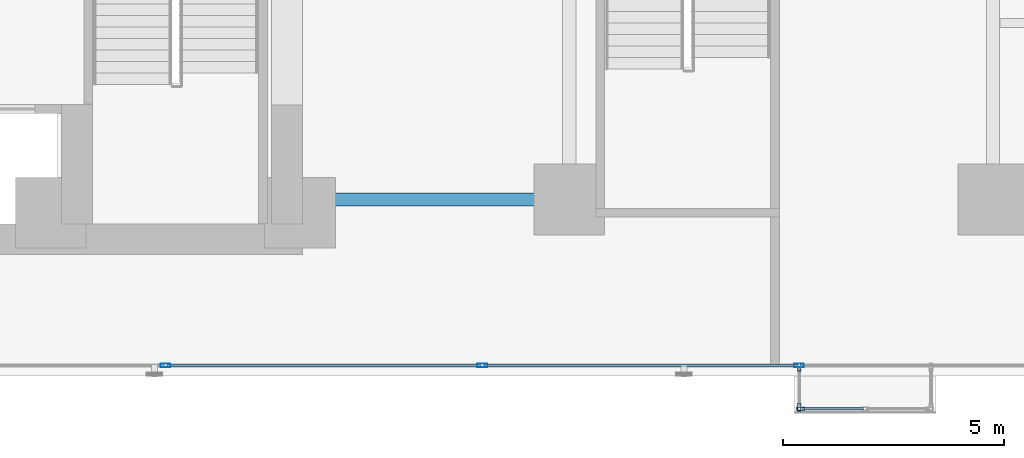
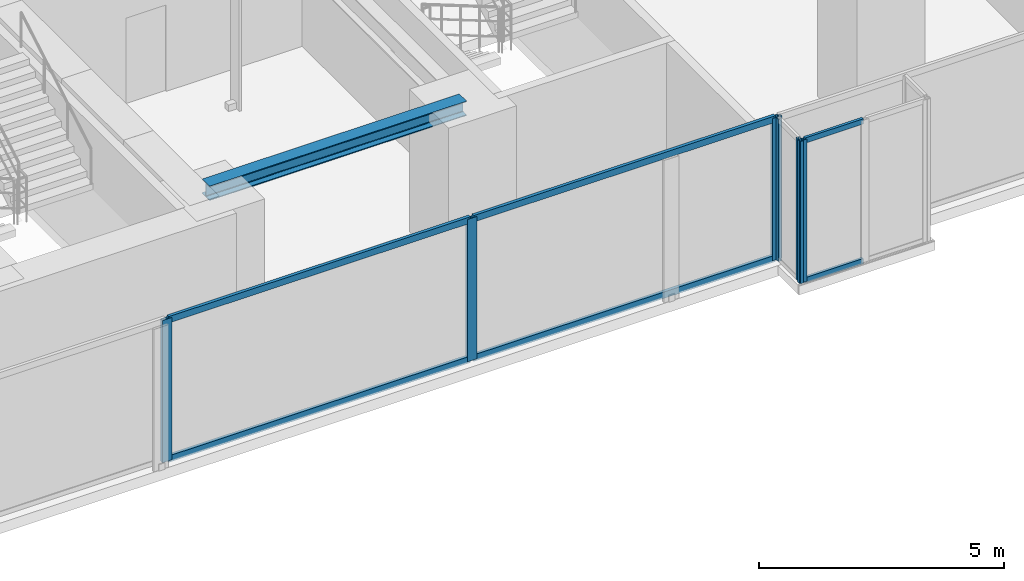
# One storey, part 4 of 30: 12 members, 1 beam, 3 elements without a shape of their own.
"""IFC4 building model written with IfcOpenShell, lengths in metres."""

from ifc_helpers import new_model, si_unit, direction, frame, origin, origin_with_axes, origin_2d, place, context, subcontext, project, spatial, hollow_rectangle, i_section, extrude, source, transform, mapped, material, layer, layer_set, material_profile, profile_set, type_object, element, aggregate, save


model = new_model("IFC4")

# Units and contexts
model_context = context("Model", 3, precision=1e-05, world=origin(), true_north=direction((0.0, 1.0)))
body_context = subcontext(model_context, "Body", "Model", "MODEL_VIEW")
ifc_project = project(units=[si_unit("LENGTHUNIT", "METRE"), si_unit("AREAUNIT", "SQUARE_METRE"), si_unit("VOLUMEUNIT", "CUBIC_METRE"), si_unit("PLANEANGLEUNIT", "RADIAN"), si_unit("MASSUNIT", "GRAM", prefix="KILO")], contexts=[model_context])

# Site, building, storey
site_placement = place(None, origin())
site = spatial("IfcSite", under=ifc_project, at=site_placement, CompositionType="ELEMENT")
building_placement = place(site_placement, origin())
building = spatial("IfcBuilding", under=site, at=building_placement, Name="Kolvaren Waterfront Exchange", CompositionType="ELEMENT")
storey_placement = place(building_placement, frame((0.0, 0.0, 52.39990234375)))
storey = spatial("IfcBuildingStorey", under=building, at=storey_placement, Name="L13", CompositionType="ELEMENT", Elevation=52.39990234375)

# Beam
ifc_material_1 = material(Name="Steel S355", Category="steel")
ifc_material_profile_1 = material_profile(ifc_material_1, i_section(OverallWidth=0.300048828125, OverallDepth=0.360107421875, WebThickness=0.012451171875, FlangeThickness=0.0224609375, FilletRadius=0.027099609375, at=origin_2d()), Name="HEB360")
ifc_profile_set_1 = profile_set([ifc_material_profile_1], Name="Steel S355")
beam_type = type_object("IfcBeamType", Name="STR-BM-HEB360", PredefinedType="SPANDREL", material=ifc_profile_set_1)
beam_placement = place(storey_placement, frame((21.14990234375, 5.199951171875, 3.360107421875), z_axis=(1.0, 0.0, 0.0), x_axis=(0.0, 1.0, 0.0)))
element("IfcBeam", 1, at=beam_placement, inside=storey, type_object=beam_type, Name="L13 east-arm spandrel S1", PredefinedType="SPANDREL", context=body_context, shape_type="SweptSolid", body=[
    extrude(i_section(OverallWidth=0.300048828125, OverallDepth=0.360107421875, WebThickness=0.012451171875, FlangeThickness=0.0224609375, FilletRadius=0.027099609375, at=origin_2d()), origin(), (0.0, 0.0, 1.0), 6.050048828125),
])

# Curtain wall, members
ifc_material_2 = material(Name="Anodised bronze aluminium 6063-T6", Category="aluminium")
ifc_layer_1 = layer(ifc_material_2, 0.219970703125, Name="Anodised bronze aluminium 6063-T6")
ifc_layer_set_1 = layer_set([ifc_layer_1], Name="Anodised bronze aluminium 6063-T6")
curtain_wall_type_1 = type_object("IfcCurtainWallType", Name="ARC-CW-SYS1", PredefinedType="USERDEFINED", material=ifc_layer_set_1)
curtain_wall_1_placement = place(storey_placement, origin())
curtain_wall_1 = element("IfcCurtainWall", 2, at=curtain_wall_1_placement, inside=storey, type_object=curtain_wall_type_1, Name="L13 stick curtain wall CW1 (CW-L13-S)", ObjectType="STICK CURTAIN WALL", PredefinedType="USERDEFINED")
ifc_material_3 = material(Name="Anodised aluminium 6063-T6", Category="aluminium")
ifc_material_profile_2 = material_profile(ifc_material_3, hollow_rectangle(XDim=0.074951171875, YDim=0.159912109375, WallThickness=0.00439453125, at=origin_2d()), Name="ALU-TRN-160x75x4.5")
ifc_profile_set_2 = profile_set([ifc_material_profile_2], Name="Anodised aluminium 6063-T6")
member_type_1 = type_object("IfcMemberType", Name="ARC-CWT-160", PredefinedType="USERDEFINED", material=ifc_profile_set_2)
shared_shape_1 = source(origin_with_axes(), body_context, "Body", "SweptSolid", [
    extrude(hollow_rectangle(XDim=0.074951171875, YDim=0.159912109375, WallThickness=0.00439453125, at=origin_2d()), origin(), (0.0, 0.0, 1.0), 7.094970703125),
])
member_1_placement = place(storey_placement, frame((18.090087890625, 1.43994140625, 0.03759765625), z_axis=(1.0, 0.0, 0.0), x_axis=(0.0, 1.0, 0.0)))
member_1 = element("IfcMember", 3, at=member_1_placement, type_object=member_type_1, Name="CW1 transom 3.1", ObjectType="TRANSOM", PredefinedType="USERDEFINED", context=body_context, shape_type="MappedRepresentation", body=[
    mapped(shared_shape_1, transform((0.0, 0.0, 0.0), x_axis=(1.0, 0.0, 0.0), y_axis=(0.0, 1.0, 0.0), z_axis=(0.0, 0.0, 1.0), scale=1.0)),
])
member_2_placement = place(storey_placement, frame((18.090087890625, 1.43994140625, 3.502685546875), z_axis=(1.0, 0.0, 0.0), x_axis=(0.0, 1.0, 0.0)))
member_2 = element("IfcMember", 4, at=member_2_placement, type_object=member_type_1, Name="CW1 transom 3.2", ObjectType="TRANSOM", PredefinedType="USERDEFINED", context=body_context, shape_type="MappedRepresentation", body=[
    mapped(shared_shape_1, transform((0.0, 0.0, 0.0), x_axis=(1.0, 0.0, 0.0), y_axis=(0.0, 1.0, 0.0), z_axis=(0.0, 0.0, 1.0), scale=1.0)),
])
shared_shape_2 = source(origin_with_axes(), body_context, "Body", "SweptSolid", [
    extrude(hollow_rectangle(XDim=0.074951171875, YDim=0.159912109375, WallThickness=0.00439453125, at=origin_2d()), origin(), (0.0, 0.0, 1.0), 7.09521484375),
])
member_3_placement = place(storey_placement, frame((25.264892578125, 1.43994140625, 0.03759765625), z_axis=(1.0, 0.0, 0.0), x_axis=(0.0, 1.0, 0.0)))
member_3 = element("IfcMember", 5, at=member_3_placement, type_object=member_type_1, Name="CW1 transom 4.1", ObjectType="TRANSOM", PredefinedType="USERDEFINED", context=body_context, shape_type="MappedRepresentation", body=[
    mapped(shared_shape_2, transform((0.0, 0.0, 0.0), x_axis=(1.0, 0.0, 0.0), y_axis=(0.0, 1.0, 0.0), z_axis=(0.0, 0.0, 1.0), scale=1.0)),
])
member_4_placement = place(storey_placement, frame((25.264892578125, 1.43994140625, 3.502685546875), z_axis=(1.0, 0.0, 0.0), x_axis=(0.0, 1.0, 0.0)))
member_4 = element("IfcMember", 6, at=member_4_placement, type_object=member_type_1, Name="CW1 transom 4.2", ObjectType="TRANSOM", PredefinedType="USERDEFINED", context=body_context, shape_type="MappedRepresentation", body=[
    mapped(shared_shape_2, transform((0.0, 0.0, 0.0), x_axis=(1.0, 0.0, 0.0), y_axis=(0.0, 1.0, 0.0), z_axis=(0.0, 0.0, 1.0), scale=1.0)),
])

ifc_layer_2 = layer(ifc_material_2, 0.219970703125, Name="Anodised bronze aluminium 6063-T6")
ifc_layer_set_2 = layer_set([ifc_layer_2], Name="Anodised bronze aluminium 6063-T6")
curtain_wall_type_2 = type_object("IfcCurtainWallType", Name="ARC-CW-SYS3", PredefinedType="USERDEFINED", material=ifc_layer_set_2)
curtain_wall_2_placement = place(storey_placement, origin())
curtain_wall_2 = element("IfcCurtainWall", 7, at=curtain_wall_2_placement, inside=storey, type_object=curtain_wall_type_2, Name="L13 stick curtain wall CW3 (CW-L13-BOX-W)", ObjectType="STICK CURTAIN WALL", PredefinedType="USERDEFINED")
ifc_material_profile_3 = material_profile(ifc_material_2, hollow_rectangle(XDim=0.074951171875, YDim=0.179931640625, WallThickness=0.00439453125, at=origin_2d()), Name="ALU-MUL-180x75x4.5")
ifc_profile_set_3 = profile_set([ifc_material_profile_3], Name="Anodised bronze aluminium 6063-T6")
member_type_2 = type_object("IfcMemberType", Name="ARC-CWM-180", PredefinedType="MULLION", material=ifc_profile_set_3)
shared_shape_3 = source(origin_with_axes(), body_context, "Body", "SweptSolid", [
    extrude(hollow_rectangle(XDim=0.074951171875, YDim=0.179931640625, WallThickness=0.00439453125, at=origin_2d()), origin(), (0.0, 0.0, 1.0), 3.5400390625),
])
member_5_placement = place(storey_placement, frame((32.409912109375, 1.402587890625, 0.0), z_axis=(0.0, 0.0, 1.0), x_axis=(1.0, 0.0, 0.0)))
member_5 = element("IfcMember", 8, at=member_5_placement, type_object=member_type_2, Name="CW3 mullion 1", PredefinedType="MULLION", context=body_context, shape_type="MappedRepresentation", body=[
    mapped(shared_shape_3, transform((0.0, 0.0, 0.0), x_axis=(1.0, 0.0, 0.0), y_axis=(0.0, 1.0, 0.0), z_axis=(0.0, 0.0, 1.0), scale=1.0)),
])
member_6_placement = place(storey_placement, frame((32.409912109375, 0.49755859375, 0.0), z_axis=(0.0, 0.0, 1.0), x_axis=(1.0, 0.0, 0.0)))
member_6 = element("IfcMember", 9, at=member_6_placement, type_object=member_type_2, Name="CW3 mullion 2", PredefinedType="MULLION", context=body_context, shape_type="MappedRepresentation", body=[
    mapped(shared_shape_3, transform((0.0, 0.0, 0.0), x_axis=(1.0, 0.0, 0.0), y_axis=(0.0, 1.0, 0.0), z_axis=(0.0, 0.0, 1.0), scale=1.0)),
])
aggregate(curtain_wall_2, [member_5, member_6])

curtain_wall_3_placement = place(storey_placement, origin())
curtain_wall_3 = element("IfcCurtainWall", 10, at=curtain_wall_3_placement, inside=storey, type_object=curtain_wall_type_2, Name="L13 stick curtain wall CW3 (CW-L13-BOX)", ObjectType="STICK CURTAIN WALL", PredefinedType="USERDEFINED")
member_7_placement = place(storey_placement, frame((32.447509765625, 0.4599609375, 0.0), z_axis=(0.0, 0.0, 1.0), x_axis=(0.0, 1.0, 0.0)))
member_7 = element("IfcMember", 11, at=member_7_placement, type_object=member_type_2, Name="CW3 mullion 1", PredefinedType="MULLION", context=body_context, shape_type="MappedRepresentation", body=[
    mapped(shared_shape_3, transform((0.0, 0.0, 0.0), x_axis=(1.0, 0.0, 0.0), y_axis=(0.0, 1.0, 0.0), z_axis=(0.0, 0.0, 1.0), scale=1.0)),
])
ifc_material_profile_4 = material_profile(ifc_material_2, hollow_rectangle(XDim=0.06494140625, YDim=0.1298828125, WallThickness=0.00390625, at=origin_2d()), Name="ALU-TRN-130x65x4")
ifc_profile_set_4 = profile_set([ifc_material_profile_4], Name="Anodised bronze aluminium 6063-T6")
member_type_3 = type_object("IfcMemberType", Name="ARC-CWT-130", PredefinedType="USERDEFINED", material=ifc_profile_set_4)
shared_shape_4 = source(origin_with_axes(), body_context, "Body", "SweptSolid", [
    extrude(hollow_rectangle(XDim=0.06494140625, YDim=0.1298828125, WallThickness=0.00390625, at=origin_2d()), origin(), (0.0, 0.0, 1.0), 1.37744140625),
])
member_8_placement = place(storey_placement, frame((32.485107421875, 0.4599609375, 0.03271484375), z_axis=(1.0, 0.0, 0.0), x_axis=(0.0, 1.0, 0.0)))
member_8 = element("IfcMember", 12, at=member_8_placement, type_object=member_type_3, Name="CW3 transom 1.1", ObjectType="TRANSOM", PredefinedType="USERDEFINED", context=body_context, shape_type="MappedRepresentation", body=[
    mapped(shared_shape_4, transform((0.0, 0.0, 0.0), x_axis=(1.0, 0.0, 0.0), y_axis=(0.0, 1.0, 0.0), z_axis=(0.0, 0.0, 1.0), scale=1.0)),
])
member_9_placement = place(storey_placement, frame((32.485107421875, 0.4599609375, 3.507568359375), z_axis=(1.0, 0.0, 0.0), x_axis=(0.0, 1.0, 0.0)))
member_9 = element("IfcMember", 13, at=member_9_placement, type_object=member_type_3, Name="CW3 transom 1.2", ObjectType="TRANSOM", PredefinedType="USERDEFINED", context=body_context, shape_type="MappedRepresentation", body=[
    mapped(shared_shape_4, transform((0.0, 0.0, 0.0), x_axis=(1.0, 0.0, 0.0), y_axis=(0.0, 1.0, 0.0), z_axis=(0.0, 0.0, 1.0), scale=1.0)),
])
aggregate(curtain_wall_3, [member_7, member_8, member_9])

# Member
ifc_material_profile_5 = material_profile(ifc_material_3, hollow_rectangle(XDim=0.080078125, YDim=0.219970703125, WallThickness=0.0048828125, at=origin_2d()), Name="ALU-MUL-220x80x5")
ifc_profile_set_5 = profile_set([ifc_material_profile_5], Name="Anodised aluminium 6063-T6")
member_type_4 = type_object("IfcMemberType", Name="ARC-CWM-220", PredefinedType="MULLION", material=ifc_profile_set_5)
shared_shape_5 = source(origin_with_axes(), body_context, "Body", "SweptSolid", [
    extrude(hollow_rectangle(XDim=0.080078125, YDim=0.219970703125, WallThickness=0.0048828125, at=origin_2d()), origin(), (0.0, 0.0, 1.0), 3.5400390625),
])
member_10_placement = place(storey_placement, frame((18.050048828125, 1.43994140625, 0.0), z_axis=(0.0, 0.0, 1.0), x_axis=(0.0, 1.0, 0.0)))
member_10 = element("IfcMember", 14, at=member_10_placement, type_object=member_type_4, Name="CW1 mullion 3", PredefinedType="MULLION", context=body_context, shape_type="MappedRepresentation", body=[
    mapped(shared_shape_5, transform((0.0, 0.0, 0.0), x_axis=(1.0, 0.0, 0.0), y_axis=(0.0, 1.0, 0.0), z_axis=(0.0, 0.0, 1.0), scale=1.0)),
])

member_11_placement = place(storey_placement, frame((25.22509765625, 1.43994140625, 0.0), z_axis=(0.0, 0.0, 1.0), x_axis=(0.0, 1.0, 0.0)))
member_11 = element("IfcMember", 15, at=member_11_placement, type_object=member_type_4, Name="CW1 mullion 4", PredefinedType="MULLION", context=body_context, shape_type="MappedRepresentation", body=[
    mapped(shared_shape_5, transform((0.0, 0.0, 0.0), x_axis=(1.0, 0.0, 0.0), y_axis=(0.0, 1.0, 0.0), z_axis=(0.0, 0.0, 1.0), scale=1.0)),
])

member_12_placement = place(storey_placement, frame((32.39990234375, 1.43994140625, 0.0), z_axis=(0.0, 0.0, 1.0), x_axis=(0.0, 1.0, 0.0)))
member_12 = element("IfcMember", 16, at=member_12_placement, type_object=member_type_4, Name="CW1 mullion 5", PredefinedType="MULLION", context=body_context, shape_type="MappedRepresentation", body=[
    mapped(shared_shape_5, transform((0.0, 0.0, 0.0), x_axis=(1.0, 0.0, 0.0), y_axis=(0.0, 1.0, 0.0), z_axis=(0.0, 0.0, 1.0), scale=1.0)),
])

aggregate(curtain_wall_1, [member_10, member_11, member_12, member_1, member_2, member_3, member_4])

save(model, "model.ifc")
